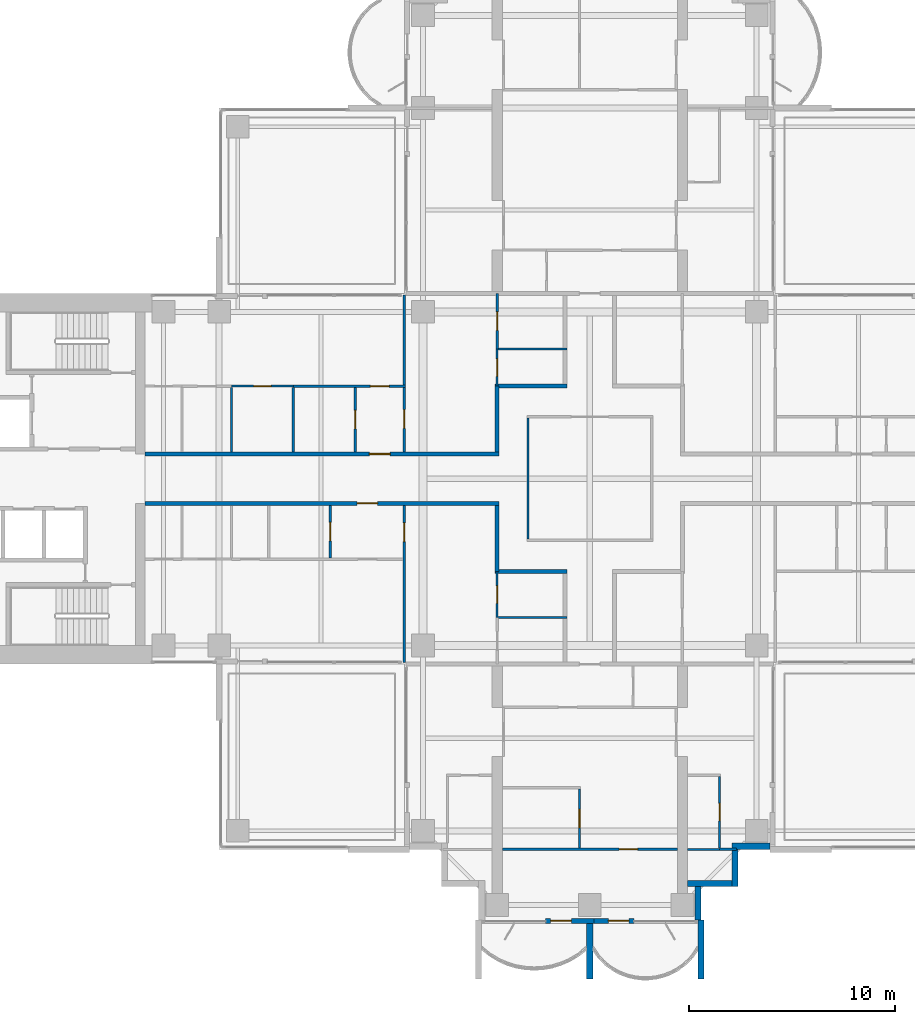
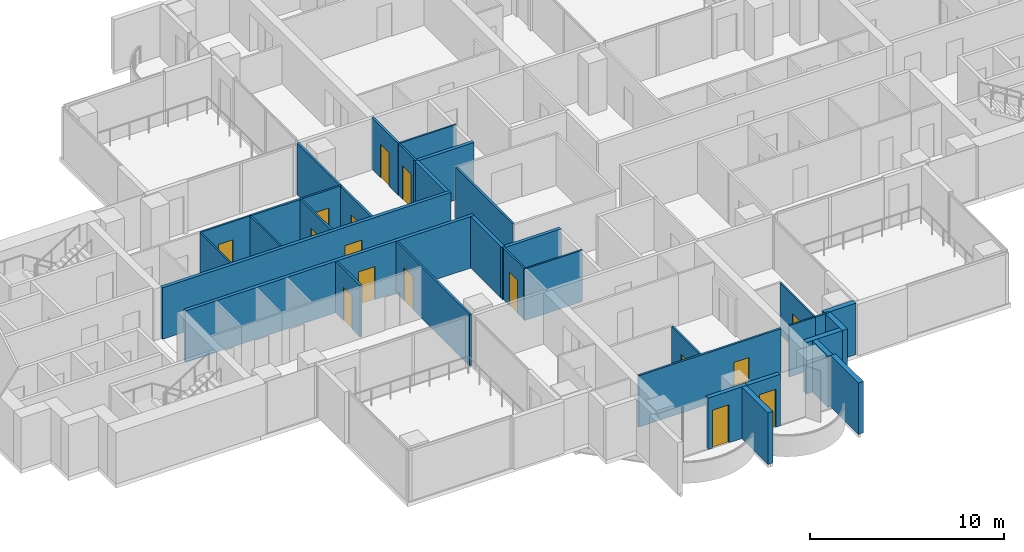
# One storey, part 10 of 18: 33 walls, 16 doors, 16 openings.
"""IFC4 building model written with IfcOpenShell, lengths in metres."""

import ifcopenshell
import ifcopenshell.guid

model = None  # the IFC model being written
_history = None  # IfcOwnerHistory: only IFC2X3 demands one
_inside = {}  # id of a spatial element -> (the spatial element, [elements in it])
_under = {}  # id of a project, library or spatial element -> (it, [spatial elements below it])
_declared = {}  # id of a project -> (the project, [libraries it declares])
_typed = {}  # id of a type object -> (the type object, [elements of that type])
_made_of = {}  # id of a material, layer set ... -> (it, [elements and type objects made of it])


def new_model(schema):
    """Start an empty IFC model of exactly this schema.

    Asked for "IFC4X3", IfcOpenShell would pick the latest addendum, in which some entities
    have other attributes; the version numbers below select the first issue.
    IFC2X3 requires an IfcOwnerHistory on every rooted entity: one is made here for all.
    """
    global model, _history
    if schema == "IFC4X3":
        model = ifcopenshell.file(schema_version=(4, 3, 0, 0))
    else:
        model = ifcopenshell.file(schema=schema)
    _inside.clear()
    _under.clear()
    _declared.clear()
    _typed.clear()
    _made_of.clear()
    _history = None
    if model.schema == "IFC2X3":
        org = make("IfcOrganization", Name="unknown")
        user = make(
            "IfcPersonAndOrganization",
            ThePerson=make("IfcPerson", FamilyName="unknown"),
            TheOrganization=org,
        )
        app = make(
            "IfcApplication",
            ApplicationDeveloper=org,
            Version="unknown",
            ApplicationFullName="unknown",
            ApplicationIdentifier="unknown",
        )
        _history = make(
            "IfcOwnerHistory",
            OwningUser=user,
            OwningApplication=app,
            ChangeAction="ADDED",
            CreationDate=0,
        )
    return model


def make(cls, **values):
    """One entity of the class cls with the attributes given. An attribute that is None is left unset."""
    return model.create_entity(
        cls, **{name: value for name, value in values.items() if value is not None}
    )


def rooted(cls, **values):
    """An entity with a GlobalId (a new one), such as an element, a storey or a relation."""
    return make(cls, GlobalId=ifcopenshell.guid.new(), OwnerHistory=_history, **values)


def si_unit(unit_type, name, prefix=None):
    """IfcSIUnit, for example si_unit("LENGTHUNIT", "METRE", prefix="MILLI")."""
    return make("IfcSIUnit", UnitType=unit_type, Prefix=prefix, Name=name)


def assignment(units):
    """IfcUnitAssignment: the units of a project."""
    return None if units is None else make("IfcUnitAssignment", Units=units)


def point(xyz):
    """IfcCartesianPoint."""
    return None if xyz is None else make("IfcCartesianPoint", Coordinates=xyz)


def direction(xyz):
    """IfcDirection."""
    return None if xyz is None else make("IfcDirection", DirectionRatios=xyz)


def frame(location, z_axis=None, x_axis=None):
    """IfcAxis2Placement3D, a coordinate frame: its origin and axes. An axis left out is left unset."""
    return make(
        "IfcAxis2Placement3D",
        Location=point(location),
        Axis=direction(z_axis),
        RefDirection=direction(x_axis),
    )


def frame_2d(location, x_axis=None):
    """IfcAxis2Placement2D, a coordinate frame in the plane: its origin and x axis."""
    return make(
        "IfcAxis2Placement2D", Location=point(location), RefDirection=direction(x_axis)
    )


def origin():
    """The frame at (0, 0, 0) with its axes left unset."""
    return frame((0.0, 0.0, 0.0))


def place(relative_to, where):
    """IfcLocalPlacement: puts the frame where relative to a parent placement (None: the world)."""
    return make(
        "IfcLocalPlacement", PlacementRelTo=relative_to, RelativePlacement=where
    )


def context(
    kind, dimensions, precision=None, world=None, true_north=None, identifier=None
):
    """IfcGeometricRepresentationContext, for example the 3D "Model" context."""
    return make(
        "IfcGeometricRepresentationContext",
        ContextIdentifier=identifier,
        ContextType=kind,
        CoordinateSpaceDimension=dimensions,
        Precision=precision,
        WorldCoordinateSystem=world,
        TrueNorth=true_north,
    )


def subcontext(parent, identifier, kind, view, scale=None):
    """IfcGeometricRepresentationSubContext, for example "Body" below "Model"."""
    return make(
        "IfcGeometricRepresentationSubContext",
        ContextIdentifier=identifier,
        ContextType=kind,
        ParentContext=parent,
        TargetScale=scale,
        TargetView=view,
    )


def project(units=None, contexts=None):
    """IfcProject with its units and contexts."""
    return rooted(
        "IfcProject",
        Name="project",
        RepresentationContexts=contexts,
        UnitsInContext=assignment(units),
    )


def spatial(cls, under=None, at=None, **own):
    """A site, building, storey or space (cls), placed at a placement, below another one or the project."""
    s = rooted(cls, ObjectPlacement=at, **own)
    if under is not None:
        _under.setdefault(under.id(), (under, []))[1].append(s)
    return s


def profile(cls, at=None, kind="AREA", **sizes):
    """A parametric profile (cls). Its sizes go by their IFC names, for example OverallWidth=200.0."""
    return make(cls, ProfileType=kind, Position=at, **sizes)


def rectangle(**sizes):
    """IfcRectangleProfileDef."""
    return profile("IfcRectangleProfileDef", **sizes)


def extrude(swept, where, along, depth):
    """IfcExtrudedAreaSolid: the profile swept, set in the frame where, extruded along a direction by depth."""
    return make(
        "IfcExtrudedAreaSolid",
        SweptArea=swept,
        Position=where,
        ExtrudedDirection=direction(along),
        Depth=depth,
    )


def shape(context_of_items, identifier, shape_type, items):
    """IfcShapeRepresentation: the items that make up one representation, for example the "Body"."""
    return make(
        "IfcShapeRepresentation",
        ContextOfItems=context_of_items,
        RepresentationIdentifier=identifier,
        RepresentationType=shape_type,
        Items=items,
    )


def material(Name=None, Category=None):
    """IfcMaterial."""
    return make("IfcMaterial", Name=Name, Category=Category)


def layer(
    of_material, thickness, ventilated=None, Name=None, Category=None, Priority=None
):
    """IfcMaterialLayer: one layer of a wall or slab, of a material (None: an air gap)."""
    return make(
        "IfcMaterialLayer",
        Material=of_material,
        LayerThickness=thickness,
        IsVentilated=ventilated,
        Name=Name,
        Category=Category,
        Priority=Priority,
    )


def layer_set(layers, Name=None):
    """IfcMaterialLayerSet."""
    return make("IfcMaterialLayerSet", MaterialLayers=layers, LayerSetName=Name)


def made_of(thing, what):
    """Note that an element or type object is made of a material, layer set ...; save() writes the relation."""
    if what is not None:
        _made_of.setdefault(what.id(), (what, []))[1].append(thing)
    return thing


def type_object(cls, material=None, **own):
    """A type object (cls), such as IfcWallType, which elements share."""
    return made_of(rooted(cls, **own), material)


def element(
    cls,
    number,
    at=None,
    inside=None,
    cuts=None,
    type_object=None,
    material=None,
    context=None,
    identifier="Body",
    shape_type=None,
    held_by="IfcProductDefinitionShape",
    body=None,
    shapes=None,
    **own,
):
    """One element of the class cls, such as IfcWall. Its Tag is "e" and its number.

    at: its placement. inside: the storey or other place that contains it. cuts: it is an
    opening in that element (IfcRelVoidsElement). A single representation is given by context,
    identifier, shape_type and body (its items); several are given by shapes. held_by: the class
    of the entity that holds the representations. save() writes the other relations.
    """
    e = rooted(cls, Tag="e%d" % number, ObjectPlacement=at, **own)
    if body is not None:
        shapes = [shape(context, identifier, shape_type, body)]
    if shapes is not None:
        e.Representation = make(held_by, Representations=shapes)
    if inside is not None:
        _inside.setdefault(inside.id(), (inside, []))[1].append(e)
    if cuts is not None:
        rooted(
            "IfcRelVoidsElement", RelatingBuildingElement=cuts, RelatedOpeningElement=e
        )
    if type_object is not None:
        _typed.setdefault(type_object.id(), (type_object, []))[1].append(e)
    return made_of(e, material)


def fill(opening, filler):
    """IfcRelFillsElement: the door or window that sits in an opening."""
    return rooted(
        "IfcRelFillsElement",
        RelatingOpeningElement=opening,
        RelatedBuildingElement=filler,
    )


def aggregate(whole, parts):
    """IfcRelAggregates: a whole, such as a stair, and the parts it consists of."""
    return rooted("IfcRelAggregates", RelatingObject=whole, RelatedObjects=parts)


def save(model, path):
    """Write the relations noted so far, then the file.

    IfcRelAggregates (storeys below a building ...), IfcRelContainedInSpatialStructure (elements
    in a storey), IfcRelDefinesByType, IfcRelAssociatesMaterial and IfcRelDeclares: one each for
    every whole, place, type object, material and project.
    """
    for whole, parts in _under.values():
        aggregate(whole, parts)
    for where, things in _inside.values():
        rooted(
            "IfcRelContainedInSpatialStructure",
            RelatedElements=things,
            RelatingStructure=where,
        )
    for kind, things in _typed.values():
        rooted("IfcRelDefinesByType", RelatedObjects=things, RelatingType=kind)
    for what, things in _made_of.values():
        rooted("IfcRelAssociatesMaterial", RelatedObjects=things, RelatingMaterial=what)
    for by, libraries in _declared.values():
        rooted("IfcRelDeclares", RelatingContext=by, RelatedDefinitions=libraries)
    model.write(path)


model = new_model("IFC4")

# Units and contexts
model_context = context("Model", 3, precision=1e-05, world=origin(), true_north=direction((0.0, 1.0)))
body_context = subcontext(model_context, "Body", "Model", "MODEL_VIEW")
ifc_project = project(units=[si_unit("LENGTHUNIT", "METRE"), si_unit("AREAUNIT", "SQUARE_METRE"), si_unit("VOLUMEUNIT", "CUBIC_METRE"), si_unit("PLANEANGLEUNIT", "RADIAN"), si_unit("MASSUNIT", "GRAM", prefix="KILO")], contexts=[model_context])

# Site, building, storey
site_placement = place(None, origin())
site = spatial("IfcSite", under=ifc_project, at=site_placement, CompositionType="ELEMENT")
building_placement = place(site_placement, origin())
building = spatial("IfcBuilding", under=site, at=building_placement, Name="Perihelion Cross Residences", CompositionType="ELEMENT")
storey_placement = place(building_placement, frame((0.0, 0.0, 133.89990234375)))
storey = spatial("IfcBuildingStorey", under=building, at=storey_placement, Name="L32", CompositionType="ELEMENT", Elevation=133.89990234375)

# Wall, opening, door
ifc_material_1 = material(Name="Plasterboard partition")
ifc_layer_1 = layer(ifc_material_1, 0.199951171875)
ifc_layer_set_1 = layer_set([ifc_layer_1], Name="Apartment separation wall 200")
wall_type_1 = type_object("IfcWallType", Name="Apartment separation wall 200", PredefinedType="PARTITIONING", material=ifc_layer_set_1)
wall_1_placement = place(storey_placement, frame((-21.60009765625, 1.199951171875, 0.0), z_axis=(0.0, 0.0, 1.0), x_axis=(1.0, 0.0, 0.0)))
wall_1 = element("IfcWall", 1, at=wall_1_placement, inside=storey, type_object=wall_type_1, Name="Partition L32 W013", PredefinedType="PARTITIONING", context=body_context, shape_type="SweptSolid", body=[
    extrude(rectangle(XDim=17.2001953125, YDim=0.199951171875, at=frame_2d((8.60009765625, 0.0))), origin(), (0.0, 0.0, 1.0), 3.25),
])
opening_1_placement = place(wall_1_placement, frame((10.89990234375, 0.0, 0.0)))
opening_1 = element("IfcOpeningElement", 2, at=opening_1_placement, cuts=wall_1, Name="Opening L32.A48", PredefinedType="OPENING", context=body_context, shape_type="SweptSolid", body=[
    extrude(rectangle(XDim=1.0, YDim=2.10009765625, at=frame_2d((0.5, 1.050048828125))), frame((0.0, 0.10986328125, 0.0), z_axis=(0.0, -1.0, 0.0), x_axis=(1.0, 0.0, 0.0)), (0.0, 0.0, 1.0), 0.219970703125),
])
ifc_material_2 = material(Name="Timber door leaf", Category="wood")
door_type_1 = type_object("IfcDoorType", Name="Flat entrance door 1000 x 2100", OperationType="SINGLE_SWING_LEFT", PredefinedType="DOOR", material=ifc_material_2)
door_1_placement = place(opening_1_placement, origin())
door_1 = element("IfcDoor", 3, at=door_1_placement, inside=storey, type_object=door_type_1, Name="Door L32.A48", OperationType="SINGLE_SWING_RIGHT", OverallHeight=2.10009765625, OverallWidth=1.0, PredefinedType="DOOR", context=body_context, shape_type="SweptSolid", body=[
    extrude(rectangle(XDim=1.0, YDim=2.10009765625, at=frame_2d((0.5, 1.050048828125))), frame((0.0, 0.02490234375, 0.0), z_axis=(0.0, -1.0, 0.0), x_axis=(1.0, 0.0, 0.0)), (0.0, 0.0, 1.0), 0.050048828125),
])
fill(opening_1, door_1)

# Walls
wall_2_placement = place(storey_placement, frame((-4.5, 1.300048828125, 0.0), z_axis=(0.0, 0.0, 1.0), x_axis=(0.0, 1.0, 0.0)))
element("IfcWall", 4, at=wall_2_placement, inside=storey, type_object=wall_type_1, Name="Partition L32 W014", PredefinedType="PARTITIONING", context=body_context, shape_type="SweptSolid", body=[
    extrude(rectangle(XDim=3.199951171875, YDim=0.199951171875, at=frame_2d((1.60009765625, 0.0))), origin(), (0.0, 0.0, 1.0), 3.25),
])
wall_3_placement = place(storey_placement, frame((-4.60009765625, 4.5, 0.0), z_axis=(0.0, 0.0, 1.0), x_axis=(1.0, 0.0, 0.0)))
element("IfcWall", 5, at=wall_3_placement, inside=storey, type_object=wall_type_1, Name="Partition L32 W015", PredefinedType="PARTITIONING", context=body_context, shape_type="SweptSolid", body=[
    extrude(rectangle(XDim=3.5, YDim=0.199951171875, at=frame_2d((1.75, 0.0))), origin(), (0.0, 0.0, 1.0), 3.25),
])

# Wall, opening, door
wall_4_placement = place(storey_placement, frame((-4.39990234375, -1.199951171875, 0.0), z_axis=(0.0, 0.0, 1.0), x_axis=(-1.0, 0.0, 0.0)))
wall_4 = element("IfcWall", 6, at=wall_4_placement, inside=storey, type_object=wall_type_1, Name="Partition L32 W017", PredefinedType="PARTITIONING", context=body_context, shape_type="SweptSolid", body=[
    extrude(rectangle(XDim=17.2001953125, YDim=0.199951171875, at=frame_2d((8.60009765625, 0.0))), origin(), (0.0, 0.0, 1.0), 3.25),
])
opening_2_placement = place(wall_4_placement, frame((5.89990234375, 0.0, 0.0)))
opening_2 = element("IfcOpeningElement", 7, at=opening_2_placement, cuts=wall_4, Name="Opening L32.A49", PredefinedType="OPENING", context=body_context, shape_type="SweptSolid", body=[
    extrude(rectangle(XDim=1.0, YDim=2.10009765625, at=frame_2d((0.5, 1.050048828125))), frame((0.0, 0.10986328125, 0.0), z_axis=(0.0, -1.0, 0.0), x_axis=(1.0, 0.0, 0.0)), (0.0, 0.0, 1.0), 0.219970703125),
])
door_2_placement = place(opening_2_placement, origin())
door_2 = element("IfcDoor", 8, at=door_2_placement, inside=storey, type_object=door_type_1, Name="Door L32.A49", OperationType="SINGLE_SWING_RIGHT", OverallHeight=2.10009765625, OverallWidth=1.0, PredefinedType="DOOR", context=body_context, shape_type="SweptSolid", body=[
    extrude(rectangle(XDim=1.0, YDim=2.10009765625, at=frame_2d((0.5, 1.050048828125))), frame((0.0, 0.02490234375, 0.0), z_axis=(0.0, -1.0, 0.0), x_axis=(1.0, 0.0, 0.0)), (0.0, 0.0, 1.0), 0.050048828125),
])
fill(opening_2, door_2)

# Walls
wall_5_placement = place(storey_placement, frame((-4.5, -4.5, 0.0), z_axis=(0.0, 0.0, 1.0), x_axis=(0.0, 1.0, 0.0)))
element("IfcWall", 9, at=wall_5_placement, inside=storey, type_object=wall_type_1, Name="Partition L32 W018", PredefinedType="PARTITIONING", context=body_context, shape_type="SweptSolid", body=[
    extrude(rectangle(XDim=3.199951171875, YDim=0.199951171875, at=frame_2d((1.60009765625, 0.0))), origin(), (0.0, 0.0, 1.0), 3.25),
])
wall_6_placement = place(storey_placement, frame((-1.10009765625, -4.5, 0.0), z_axis=(0.0, 0.0, 1.0), x_axis=(-1.0, 0.0, 0.0)))
element("IfcWall", 10, at=wall_6_placement, inside=storey, type_object=wall_type_1, Name="Partition L32 W020", PredefinedType="PARTITIONING", context=body_context, shape_type="SweptSolid", body=[
    extrude(rectangle(XDim=3.5, YDim=0.199951171875, at=frame_2d((1.75, 0.0))), origin(), (0.0, 0.0, 1.0), 3.25),
])

# Wall, opening, door
ifc_material_3 = material(Name="Concrete C30/37, bronze-clad", Category="concrete")
ifc_layer_2 = layer(ifc_material_3, 0.25)
ifc_layer_set_2 = layer_set([ifc_layer_2], Name="Bronze-clad pier wall 250")
wall_type_2 = type_object("IfcWallType", Name="Bronze-clad pier wall 250", PredefinedType="SOLIDWALL", material=ifc_layer_set_2)
wall_7_placement = place(storey_placement, frame((-2.14990234375, -21.47509765625, 0.0), z_axis=(0.0, 0.0, 1.0), x_axis=(1.0, 0.0, 0.0)))
wall_7 = element("IfcWall", 11, at=wall_7_placement, inside=storey, type_object=wall_type_2, Name="Wall FW1 L32 south tip south bay 1 pier", PredefinedType="SOLIDWALL", context=body_context, shape_type="SweptSolid", body=[
    extrude(rectangle(XDim=2.349853515625, YDim=0.25, at=frame_2d((1.1748046875, 0.0))), origin(), (0.0, 0.0, 1.0), 3.25),
])
opening_3_placement = place(wall_7_placement, frame((0.25, 0.0, 0.0)))
opening_3 = element("IfcOpeningElement", 12, at=opening_3_placement, cuts=wall_7, Name="Opening L32.E11", PredefinedType="OPENING", context=body_context, shape_type="SweptSolid", body=[
    extrude(rectangle(XDim=1.0, YDim=2.39990234375, at=frame_2d((0.5, 1.199951171875))), frame((0.0, 0.135009765625, 0.0), z_axis=(0.0, -1.0, 0.0), x_axis=(1.0, 0.0, 0.0)), (0.0, 0.0, 1.0), 0.27001953125),
])
ifc_material_4 = material(Name="Bronze anodised aluminium, glazed", Category="aluminium")
door_type_2 = type_object("IfcDoorType", Name="Balcony door 1000 x 2400", OperationType="NOTDEFINED", PredefinedType="DOOR", material=ifc_material_4)
door_3_placement = place(opening_3_placement, origin())
door_3 = element("IfcDoor", 13, at=door_3_placement, inside=storey, type_object=door_type_2, Name="Door L32.E11 south tip south bay 1", OperationType="SINGLE_SWING_RIGHT", OverallHeight=2.39990234375, OverallWidth=1.0, PredefinedType="DOOR", context=body_context, shape_type="SweptSolid", body=[
    extrude(rectangle(XDim=1.0, YDim=2.39990234375, at=frame_2d((0.5, 1.199951171875))), frame((0.0, 0.02490234375, 0.0), z_axis=(0.0, -1.0, 0.0), x_axis=(1.0, 0.0, 0.0)), (0.0, 0.0, 1.0), 0.050048828125),
])
fill(opening_3, door_3)

wall_8_placement = place(storey_placement, frame((0.199951171875, -21.47509765625, 0.0), z_axis=(0.0, 0.0, 1.0), x_axis=(1.0, 0.0, 0.0)))
wall_8 = element("IfcWall", 14, at=wall_8_placement, inside=storey, type_object=wall_type_2, Name="Wall FW1 L32 south tip south bay 2 pier", PredefinedType="SOLIDWALL", context=body_context, shape_type="SweptSolid", body=[
    extrude(rectangle(XDim=1.949951171875, YDim=0.25, at=frame_2d((0.97509765625, 0.0))), origin(), (0.0, 0.0, 1.0), 3.25),
])
opening_4_placement = place(wall_8_placement, frame((0.699951171875, 0.0, 0.0)))
opening_4 = element("IfcOpeningElement", 15, at=opening_4_placement, cuts=wall_8, Name="Opening L32.E12", PredefinedType="OPENING", context=body_context, shape_type="SweptSolid", body=[
    extrude(rectangle(XDim=1.0, YDim=2.39990234375, at=frame_2d((0.5, 1.199951171875))), frame((0.0, 0.135009765625, 0.0), z_axis=(0.0, -1.0, 0.0), x_axis=(1.0, 0.0, 0.0)), (0.0, 0.0, 1.0), 0.27001953125),
])
door_4_placement = place(opening_4_placement, origin())
door_4 = element("IfcDoor", 16, at=door_4_placement, inside=storey, type_object=door_type_2, Name="Door L32.E12 south tip south bay 2", OperationType="SINGLE_SWING_LEFT", OverallHeight=2.39990234375, OverallWidth=1.0, PredefinedType="DOOR", context=body_context, shape_type="SweptSolid", body=[
    extrude(rectangle(XDim=1.0, YDim=2.39990234375, at=frame_2d((0.5, 1.199951171875))), frame((0.0, 0.02490234375, 0.0), z_axis=(0.0, -1.0, 0.0), x_axis=(1.0, 0.0, 0.0)), (0.0, 0.0, 1.0), 0.050048828125),
])
fill(opening_4, door_4)

# Walls
ifc_material_5 = material(Name="Concrete C30/37, bronze-clad", Category="concrete")
ifc_layer_3 = layer(ifc_material_5, 0.300048828125)
ifc_layer_set_3 = layer_set([ifc_layer_3], Name="Bronze-clad serration wall 300")
wall_type_3 = type_object("IfcWallType", Name="Bronze-clad serration wall 300", PredefinedType="SOLIDWALL", material=ifc_layer_set_3)
wall_9_placement = place(storey_placement, frame((5.25, -21.419921875, 0.0), z_axis=(0.0, 0.0, 1.0), x_axis=(0.0, 1.0, 0.0)))
element("IfcWall", 17, at=wall_9_placement, inside=storey, type_object=wall_type_3, Name="Wall SR1 L32 south corner south-east 1", PredefinedType="SOLIDWALL", context=body_context, shape_type="SweptSolid", body=[
    extrude(rectangle(XDim=1.619873046875, YDim=0.300048828125, at=frame_2d((0.81005859375, 0.0))), origin(), (0.0, 0.0, 1.0), 3.25),
])
wall_10_placement = place(storey_placement, frame((4.75, -19.64990234375, 0.0), z_axis=(0.0, 0.0, 1.0), x_axis=(1.0, 0.0, 0.0)))
element("IfcWall", 18, at=wall_10_placement, inside=storey, type_object=wall_type_3, Name="Wall SR1 L32 south corner south-east 2", PredefinedType="SOLIDWALL", context=body_context, shape_type="SweptSolid", body=[
    extrude(rectangle(XDim=2.14990234375, YDim=0.300048828125, at=frame_2d((1.074951171875, 0.0))), origin(), (0.0, 0.0, 1.0), 3.25),
])
wall_11_placement = place(storey_placement, frame((7.050048828125, -19.800048828125, 0.0), z_axis=(0.0, 0.0, 1.0), x_axis=(0.0, 1.0, 0.0)))
element("IfcWall", 19, at=wall_11_placement, inside=storey, type_object=wall_type_3, Name="Wall SR1 L32 south corner south-east 3", PredefinedType="SOLIDWALL", context=body_context, shape_type="SweptSolid", body=[
    extrude(rectangle(XDim=1.800048828125, YDim=0.300048828125, at=frame_2d((0.89990234375, 0.0))), origin(), (0.0, 0.0, 1.0), 3.25),
])
wall_12_placement = place(storey_placement, frame((6.89990234375, -17.85009765625, 0.0), z_axis=(0.0, 0.0, 1.0), x_axis=(1.0, 0.0, 0.0)))
element("IfcWall", 20, at=wall_12_placement, inside=storey, type_object=wall_type_3, Name="Wall SR1 L32 south corner south-east 4", PredefinedType="SOLIDWALL", context=body_context, shape_type="SweptSolid", body=[
    extrude(rectangle(XDim=1.85009765625, YDim=0.300048828125, at=frame_2d((0.925048828125, 0.0))), origin(), (0.0, 0.0, 1.0), 3.25),
])
ifc_material_6 = material(Name="Plasterboard partition")
ifc_layer_4 = layer(ifc_material_6, 0.1201171875)
ifc_layer_set_4 = layer_set([ifc_layer_4], Name="Partition wall 120")
wall_type_4 = type_object("IfcWallType", Name="Partition wall 120", PredefinedType="PARTITIONING", material=ifc_layer_set_4)
wall_13_placement = place(storey_placement, frame((-3.0, 2.93994140625, 0.0), z_axis=(0.0, 0.0, 1.0), x_axis=(0.0, -1.0, 0.0)))
element("IfcWall", 21, at=wall_13_placement, inside=storey, type_object=wall_type_4, Name="Partition L32 W004", PredefinedType="PARTITIONING", context=body_context, shape_type="SweptSolid", body=[
    extrude(rectangle(XDim=5.8798828125, YDim=0.1201171875, at=frame_2d((2.93994140625, 0.0))), origin(), (0.0, 0.0, 1.0), 3.25),
])

# Wall, opening, door
wall_14_placement = place(storey_placement, frame((-11.39990234375, 1.300048828125, 0.0), z_axis=(0.0, 0.0, 1.0), x_axis=(0.0, 1.0, 0.0)))
wall_14 = element("IfcWall", 22, at=wall_14_placement, inside=storey, type_object=wall_type_4, Name="Partition L32 W041", PredefinedType="PARTITIONING", context=body_context, shape_type="SweptSolid", body=[
    extrude(rectangle(XDim=3.139892578125, YDim=0.1201171875, at=frame_2d((1.56982421875, 0.0))), origin(), (0.0, 0.0, 1.0), 3.25),
])
opening_5_placement = place(wall_14_placement, frame((1.1201171875, 0.0, 0.0)))
opening_5 = element("IfcOpeningElement", 23, at=opening_5_placement, cuts=wall_14, Name="Opening L32.A17", PredefinedType="OPENING", context=body_context, shape_type="SweptSolid", body=[
    extrude(rectangle(XDim=0.89990234375, YDim=2.10009765625, at=frame_2d((0.449951171875, 1.050048828125))), frame((0.0, 0.070068359375, 0.0), z_axis=(0.0, -1.0, 0.0), x_axis=(1.0, 0.0, 0.0)), (0.0, 0.0, 1.0), 0.14013671875),
])
ifc_material_7 = material(Name="Timber door leaf", Category="wood")
door_type_3 = type_object("IfcDoorType", Name="Interior room door 900 x 2100", OperationType="SINGLE_SWING_LEFT", PredefinedType="DOOR", material=ifc_material_7)
door_5_placement = place(opening_5_placement, origin())
door_5 = element("IfcDoor", 24, at=door_5_placement, inside=storey, type_object=door_type_3, Name="Door L32.A17", OperationType="SINGLE_SWING_LEFT", OverallHeight=2.10009765625, OverallWidth=0.89990234375, PredefinedType="DOOR", context=body_context, shape_type="SweptSolid", body=[
    extrude(rectangle(XDim=0.89990234375, YDim=2.10009765625, at=frame_2d((0.449951171875, 1.050048828125))), frame((0.0, 0.02490234375, 0.0), z_axis=(0.0, -1.0, 0.0), x_axis=(1.0, 0.0, 0.0)), (0.0, 0.0, 1.0), 0.050048828125),
])
fill(opening_5, door_5)

wall_15_placement = place(storey_placement, frame((-14.39990234375, 4.5, 0.0), z_axis=(0.0, 0.0, 1.0), x_axis=(1.0, 0.0, 0.0)))
wall_15 = element("IfcWall", 25, at=wall_15_placement, inside=storey, type_object=wall_type_4, Name="Partition L32 W042", PredefinedType="PARTITIONING", context=body_context, shape_type="SweptSolid", body=[
    extrude(rectangle(XDim=5.4599609375, YDim=0.1201171875, at=frame_2d((2.72998046875, 0.0))), origin(), (0.0, 0.0, 1.0), 3.25),
])
opening_6_placement = place(wall_15_placement, frame((3.75, 0.0, 0.0)))
opening_6 = element("IfcOpeningElement", 26, at=opening_6_placement, cuts=wall_15, Name="Opening L32.A22", PredefinedType="OPENING", context=body_context, shape_type="SweptSolid", body=[
    extrude(rectangle(XDim=0.89990234375, YDim=2.10009765625, at=frame_2d((0.449951171875, 1.050048828125))), frame((0.0, 0.070068359375, 0.0), z_axis=(0.0, -1.0, 0.0), x_axis=(1.0, 0.0, 0.0)), (0.0, 0.0, 1.0), 0.14013671875),
])
door_6_placement = place(opening_6_placement, origin())
door_6 = element("IfcDoor", 27, at=door_6_placement, inside=storey, type_object=door_type_3, Name="Door L32.A22", OperationType="SINGLE_SWING_LEFT", OverallHeight=2.10009765625, OverallWidth=0.89990234375, PredefinedType="DOOR", context=body_context, shape_type="SweptSolid", body=[
    extrude(rectangle(XDim=0.89990234375, YDim=2.10009765625, at=frame_2d((0.449951171875, 1.050048828125))), frame((0.0, 0.02490234375, 0.0), z_axis=(0.0, -1.0, 0.0), x_axis=(1.0, 0.0, 0.0)), (0.0, 0.0, 1.0), 0.050048828125),
])
fill(opening_6, door_6)

wall_16_placement = place(storey_placement, frame((-9.0, 8.919921875, 0.0), z_axis=(0.0, 0.0, 1.0), x_axis=(0.0, -1.0, 0.0)))
wall_16 = element("IfcWall", 28, at=wall_16_placement, inside=storey, type_object=wall_type_4, Name="Partition L32 W043", PredefinedType="PARTITIONING", context=body_context, shape_type="SweptSolid", body=[
    extrude(rectangle(XDim=7.619873046875, YDim=0.1201171875, at=frame_2d((3.81005859375, 0.0))), origin(), (0.0, 0.0, 1.0), 3.25),
])
opening_7_placement = place(wall_16_placement, frame((5.570068359375, 0.0, 0.0)))
opening_7 = element("IfcOpeningElement", 29, at=opening_7_placement, cuts=wall_16, Name="Opening L32.A18", PredefinedType="OPENING", context=body_context, shape_type="SweptSolid", body=[
    extrude(rectangle(XDim=0.89990234375, YDim=2.10009765625, at=frame_2d((0.449951171875, 1.050048828125))), frame((0.0, 0.070068359375, 0.0), z_axis=(0.0, -1.0, 0.0), x_axis=(1.0, 0.0, 0.0)), (0.0, 0.0, 1.0), 0.14013671875),
])
door_7_placement = place(opening_7_placement, origin())
door_7 = element("IfcDoor", 30, at=door_7_placement, inside=storey, type_object=door_type_3, Name="Door L32.A18", OperationType="SINGLE_SWING_RIGHT", OverallHeight=2.10009765625, OverallWidth=0.89990234375, PredefinedType="DOOR", context=body_context, shape_type="SweptSolid", body=[
    extrude(rectangle(XDim=0.89990234375, YDim=2.10009765625, at=frame_2d((0.449951171875, 1.050048828125))), frame((0.0, 0.02490234375, 0.0), z_axis=(0.0, -1.0, 0.0), x_axis=(1.0, 0.0, 0.0)), (0.0, 0.0, 1.0), 0.050048828125),
])
fill(opening_7, door_7)

wall_17_placement = place(storey_placement, frame((-4.5, 9.0, 0.0), z_axis=(0.0, 0.0, 1.0), x_axis=(0.0, -1.0, 0.0)))
wall_17 = element("IfcWall", 31, at=wall_17_placement, inside=storey, type_object=wall_type_4, Name="Partition L32 W051", PredefinedType="PARTITIONING", context=body_context, shape_type="SweptSolid", body=[
    extrude(rectangle(XDim=2.699951171875, YDim=0.1201171875, at=frame_2d((1.35009765625, 0.0))), origin(), (0.0, 0.0, 1.0), 3.25),
])
opening_8_placement = place(wall_17_placement, frame((0.89990234375, 0.0, 0.0)))
opening_8 = element("IfcOpeningElement", 32, at=opening_8_placement, cuts=wall_17, Name="Opening L32.A19", PredefinedType="OPENING", context=body_context, shape_type="SweptSolid", body=[
    extrude(rectangle(XDim=0.89990234375, YDim=2.10009765625, at=frame_2d((0.449951171875, 1.050048828125))), frame((0.0, 0.070068359375, 0.0), z_axis=(0.0, -1.0, 0.0), x_axis=(1.0, 0.0, 0.0)), (0.0, 0.0, 1.0), 0.14013671875),
])
door_8_placement = place(opening_8_placement, origin())
door_8 = element("IfcDoor", 33, at=door_8_placement, inside=storey, type_object=door_type_3, Name="Door L32.A19", OperationType="SINGLE_SWING_RIGHT", OverallHeight=2.10009765625, OverallWidth=0.89990234375, PredefinedType="DOOR", context=body_context, shape_type="SweptSolid", body=[
    extrude(rectangle(XDim=0.89990234375, YDim=2.10009765625, at=frame_2d((0.449951171875, 1.050048828125))), frame((0.0, 0.02490234375, 0.0), z_axis=(0.0, -1.0, 0.0), x_axis=(1.0, 0.0, 0.0)), (0.0, 0.0, 1.0), 0.050048828125),
])
fill(opening_8, door_8)

wall_18_placement = place(storey_placement, frame((-12.60009765625, -3.840087890625, 0.0), z_axis=(0.0, 0.0, 1.0), x_axis=(0.0, 1.0, 0.0)))
wall_18 = element("IfcWall", 34, at=wall_18_placement, inside=storey, type_object=wall_type_4, Name="Partition L32 W053", PredefinedType="PARTITIONING", context=body_context, shape_type="SweptSolid", body=[
    extrude(rectangle(XDim=2.5400390625, YDim=0.1201171875, at=frame_2d((1.27001953125, 0.0))), origin(), (0.0, 0.0, 1.0), 3.25),
])
opening_9_placement = place(wall_18_placement, frame((0.820068359375, 0.0, 0.0)))
opening_9 = element("IfcOpeningElement", 35, at=opening_9_placement, cuts=wall_18, Name="Opening L32.A26", PredefinedType="OPENING", context=body_context, shape_type="SweptSolid", body=[
    extrude(rectangle(XDim=0.89990234375, YDim=2.10009765625, at=frame_2d((0.449951171875, 1.050048828125))), frame((0.0, 0.070068359375, 0.0), z_axis=(0.0, -1.0, 0.0), x_axis=(1.0, 0.0, 0.0)), (0.0, 0.0, 1.0), 0.14013671875),
])
door_9_placement = place(opening_9_placement, origin())
door_9 = element("IfcDoor", 36, at=door_9_placement, inside=storey, type_object=door_type_3, Name="Door L32.A26", OperationType="SINGLE_SWING_RIGHT", OverallHeight=2.10009765625, OverallWidth=0.89990234375, PredefinedType="DOOR", context=body_context, shape_type="SweptSolid", body=[
    extrude(rectangle(XDim=0.89990234375, YDim=2.10009765625, at=frame_2d((0.449951171875, 1.050048828125))), frame((0.0, 0.02490234375, 0.0), z_axis=(0.0, -1.0, 0.0), x_axis=(1.0, 0.0, 0.0)), (0.0, 0.0, 1.0), 0.050048828125),
])
fill(opening_9, door_9)

wall_19_placement = place(storey_placement, frame((-9.0, -1.300048828125, 0.0), z_axis=(0.0, 0.0, 1.0), x_axis=(0.0, -1.0, 0.0)))
wall_19 = element("IfcWall", 37, at=wall_19_placement, inside=storey, type_object=wall_type_4, Name="Partition L32 W055", PredefinedType="PARTITIONING", context=body_context, shape_type="SweptSolid", body=[
    extrude(rectangle(XDim=7.619873046875, YDim=0.1201171875, at=frame_2d((3.81005859375, 0.0))), origin(), (0.0, 0.0, 1.0), 3.25),
])
opening_10_placement = place(wall_19_placement, frame((0.85009765625, 0.0, 0.0)))
opening_10 = element("IfcOpeningElement", 38, at=opening_10_placement, cuts=wall_19, Name="Opening L32.A29", PredefinedType="OPENING", context=body_context, shape_type="SweptSolid", body=[
    extrude(rectangle(XDim=0.89990234375, YDim=2.10009765625, at=frame_2d((0.449951171875, 1.050048828125))), frame((0.0, 0.070068359375, 0.0), z_axis=(0.0, -1.0, 0.0), x_axis=(1.0, 0.0, 0.0)), (0.0, 0.0, 1.0), 0.14013671875),
])
door_10_placement = place(opening_10_placement, origin())
door_10 = element("IfcDoor", 39, at=door_10_placement, inside=storey, type_object=door_type_3, Name="Door L32.A29", OperationType="SINGLE_SWING_LEFT", OverallHeight=2.10009765625, OverallWidth=0.89990234375, PredefinedType="DOOR", context=body_context, shape_type="SweptSolid", body=[
    extrude(rectangle(XDim=0.89990234375, YDim=2.10009765625, at=frame_2d((0.449951171875, 1.050048828125))), frame((0.0, 0.02490234375, 0.0), z_axis=(0.0, -1.0, 0.0), x_axis=(1.0, 0.0, 0.0)), (0.0, 0.0, 1.0), 0.050048828125),
])
fill(opening_10, door_10)

wall_20_placement = place(storey_placement, frame((-0.5, -17.93994140625, 0.0), z_axis=(0.0, 0.0, 1.0), x_axis=(0.0, 1.0, 0.0)))
wall_20 = element("IfcWall", 40, at=wall_20_placement, inside=storey, type_object=wall_type_4, Name="Partition L32 W080", PredefinedType="PARTITIONING", context=body_context, shape_type="SweptSolid", body=[
    extrude(rectangle(XDim=2.8798828125, YDim=0.1201171875, at=frame_2d((1.43994140625, 0.0))), origin(), (0.0, 0.0, 1.0), 3.25),
])
opening_11_placement = place(wall_20_placement, frame((0.989990234375, 0.0, 0.0)))
opening_11 = element("IfcOpeningElement", 41, at=opening_11_placement, cuts=wall_20, Name="Opening L32.A42", PredefinedType="OPENING", context=body_context, shape_type="SweptSolid", body=[
    extrude(rectangle(XDim=0.89990234375, YDim=2.10009765625, at=frame_2d((0.449951171875, 1.050048828125))), frame((0.0, 0.070068359375, 0.0), z_axis=(0.0, -1.0, 0.0), x_axis=(1.0, 0.0, 0.0)), (0.0, 0.0, 1.0), 0.14013671875),
])
door_11_placement = place(opening_11_placement, origin())
door_11 = element("IfcDoor", 42, at=door_11_placement, inside=storey, type_object=door_type_3, Name="Door L32.A42", OperationType="SINGLE_SWING_RIGHT", OverallHeight=2.10009765625, OverallWidth=0.89990234375, PredefinedType="DOOR", context=body_context, shape_type="SweptSolid", body=[
    extrude(rectangle(XDim=0.89990234375, YDim=2.10009765625, at=frame_2d((0.449951171875, 1.050048828125))), frame((0.0, 0.02490234375, 0.0), z_axis=(0.0, -1.0, 0.0), x_axis=(1.0, 0.0, 0.0)), (0.0, 0.0, 1.0), 0.050048828125),
])
fill(opening_11, door_11)

wall_21_placement = place(storey_placement, frame((4.25, -18.0, 0.0), z_axis=(0.0, 0.0, 1.0), x_axis=(-1.0, 0.0, 0.0)))
wall_21 = element("IfcWall", 43, at=wall_21_placement, inside=storey, type_object=wall_type_4, Name="Partition L32 W082", PredefinedType="PARTITIONING", context=body_context, shape_type="SweptSolid", body=[
    extrude(rectangle(XDim=8.5, YDim=0.1201171875, at=frame_2d((4.25, 0.0))), origin(), (0.0, 0.0, 1.0), 3.25),
])
opening_12_placement = place(wall_21_placement, frame((1.925048828125, 0.0, 0.0)))
opening_12 = element("IfcOpeningElement", 44, at=opening_12_placement, cuts=wall_21, Name="Opening L32.A43", PredefinedType="OPENING", context=body_context, shape_type="SweptSolid", body=[
    extrude(rectangle(XDim=0.89990234375, YDim=2.10009765625, at=frame_2d((0.449951171875, 1.050048828125))), frame((0.0, 0.070068359375, 0.0), z_axis=(0.0, -1.0, 0.0), x_axis=(1.0, 0.0, 0.0)), (0.0, 0.0, 1.0), 0.14013671875),
])
door_12_placement = place(opening_12_placement, origin())
door_12 = element("IfcDoor", 45, at=door_12_placement, inside=storey, type_object=door_type_3, Name="Door L32.A43", OperationType="SINGLE_SWING_RIGHT", OverallHeight=2.10009765625, OverallWidth=0.89990234375, PredefinedType="DOOR", context=body_context, shape_type="SweptSolid", body=[
    extrude(rectangle(XDim=0.89990234375, YDim=2.10009765625, at=frame_2d((0.449951171875, 1.050048828125))), frame((0.0, 0.02490234375, 0.0), z_axis=(0.0, -1.0, 0.0), x_axis=(1.0, 0.0, 0.0)), (0.0, 0.0, 1.0), 0.050048828125),
])
fill(opening_12, door_12)

# Walls
wall_22_placement = place(storey_placement, frame((7.1201171875, -18.0, 0.0), z_axis=(0.0, 0.0, 1.0), x_axis=(-1.0, 0.0, 0.0)))
element("IfcWall", 46, at=wall_22_placement, inside=storey, type_object=wall_type_4, Name="Partition L32 W085", PredefinedType="PARTITIONING", context=body_context, shape_type="SweptSolid", body=[
    extrude(rectangle(XDim=0.820068359375, YDim=0.1201171875, at=frame_2d((0.41015625, 0.0))), origin(), (0.0, 0.0, 1.0), 3.25),
])
ifc_material_8 = material(Name="Precast concrete C50/60", Category="concrete")
ifc_layer_5 = layer(ifc_material_8, 0.300048828125)
ifc_layer_set_5 = layer_set([ifc_layer_5], Name="Precast concrete C50/60 blade wall 300")
wall_type_5 = type_object("IfcWallType", Name="Precast concrete C50/60 blade wall 300", PredefinedType="SOLIDWALL", material=ifc_layer_set_5)
wall_23_placement = place(storey_placement, frame((0.0, -21.60009765625, 0.0), z_axis=(0.0, 0.0, 1.0), x_axis=(0.0, -1.0, 0.0)))
element("IfcWall", 47, at=wall_23_placement, inside=storey, type_object=wall_type_5, Name="Wall BL1 L32 no. 8", PredefinedType="SOLIDWALL", context=body_context, shape_type="SweptSolid", body=[
    extrude(rectangle(XDim=2.699951171875, YDim=0.300048828125, at=frame_2d((1.35009765625, 0.0))), origin(), (0.0, 0.0, 1.0), 3.25),
])
wall_24_placement = place(storey_placement, frame((5.39990234375, -21.419921875, 0.0), z_axis=(0.0, 0.0, 1.0), x_axis=(0.0, -1.0, 0.0)))
element("IfcWall", 48, at=wall_24_placement, inside=storey, type_object=wall_type_5, Name="Wall BL1 L32 no. 12", PredefinedType="SOLIDWALL", context=body_context, shape_type="SweptSolid", body=[
    extrude(rectangle(XDim=2.880126953125, YDim=0.300048828125, at=frame_2d((1.43994140625, 0.0))), origin(), (0.0, 0.0, 1.0), 3.25),
])
ifc_material_9 = material(Name="Plasterboard partition")
ifc_layer_6 = layer(ifc_material_9, 0.10009765625)
ifc_layer_set_6 = layer_set([ifc_layer_6], Name="Wet room wall 100")
wall_type_6 = type_object("IfcWallType", Name="Wet room wall 100", PredefinedType="PARTITIONING", material=ifc_layer_set_6)
for number, where, z_axis, x_axis, name in (
    (49, (-14.39990234375, 1.300048828125, 0.0), (0.0, 0.0, 1.0), (0.0, 1.0, 0.0), "Partition L32 W044"),
    (50, (-17.39990234375, 1.300048828125, 0.0), (0.0, 0.0, 1.0), (0.0, 1.0, 0.0), "Partition L32 W045"),
):
    element("IfcWall", number, at=place(storey_placement, frame(where, z_axis=z_axis, x_axis=x_axis)), inside=storey, type_object=wall_type_6, Name=name, PredefinedType="PARTITIONING", context=body_context, shape_type="SweptSolid", body=[
        extrude(rectangle(XDim=3.139892578125, YDim=0.10009765625, at=frame_2d((1.56982421875, 0.0))), origin(), (0.0, 0.0, 1.0), 3.25),
    ])

# Wall, opening, door
wall_25_placement = place(storey_placement, frame((-17.39990234375, 4.5, 0.0), z_axis=(0.0, 0.0, 1.0), x_axis=(1.0, 0.0, 0.0)))
wall_25 = element("IfcWall", 51, at=wall_25_placement, inside=storey, type_object=wall_type_6, Name="Partition L32 W046", PredefinedType="PARTITIONING", context=body_context, shape_type="SweptSolid", body=[
    extrude(rectangle(XDim=3.0, YDim=0.10009765625, at=frame_2d((1.5, 0.0))), origin(), (0.0, 0.0, 1.0), 3.25),
])
opening_13_placement = place(wall_25_placement, frame((1.074951171875, 0.0, 0.0)))
opening_13 = element("IfcOpeningElement", 52, at=opening_13_placement, cuts=wall_25, Name="Opening L32.A16", PredefinedType="OPENING", context=body_context, shape_type="SweptSolid", body=[
    extrude(rectangle(XDim=0.85009765625, YDim=2.10009765625, at=frame_2d((0.425048828125, 1.050048828125))), frame((0.0, 0.06005859375, 0.0), z_axis=(0.0, -1.0, 0.0), x_axis=(1.0, 0.0, 0.0)), (0.0, 0.0, 1.0), 0.1201171875),
])
ifc_material_10 = material(Name="Timber door leaf", Category="wood")
door_type_4 = type_object("IfcDoorType", Name="Interior bathroom door 850 x 2100", OperationType="SINGLE_SWING_LEFT", PredefinedType="DOOR", material=ifc_material_10)
door_13_placement = place(opening_13_placement, origin())
door_13 = element("IfcDoor", 53, at=door_13_placement, inside=storey, type_object=door_type_4, Name="Door L32.A16", OperationType="SINGLE_SWING_LEFT", OverallHeight=2.10009765625, OverallWidth=0.85009765625, PredefinedType="DOOR", context=body_context, shape_type="SweptSolid", body=[
    extrude(rectangle(XDim=0.85009765625, YDim=2.10009765625, at=frame_2d((0.425048828125, 1.050048828125))), frame((0.0, 0.02490234375, 0.0), z_axis=(0.0, -1.0, 0.0), x_axis=(1.0, 0.0, 0.0)), (0.0, 0.0, 1.0), 0.050048828125),
])
fill(opening_13, door_13)

wall_26_placement = place(storey_placement, frame((-4.5, 6.300048828125, 0.0), z_axis=(0.0, 0.0, 1.0), x_axis=(0.0, -1.0, 0.0)))
wall_26 = element("IfcWall", 54, at=wall_26_placement, inside=storey, type_object=wall_type_6, Name="Partition L32 W050", PredefinedType="PARTITIONING", context=body_context, shape_type="SweptSolid", body=[
    extrude(rectangle(XDim=1.800048828125, YDim=0.10009765625, at=frame_2d((0.89990234375, 0.0))), origin(), (0.0, 0.0, 1.0), 3.25),
])
opening_14_placement = place(wall_26_placement, frame((0.47509765625, 0.0, 0.0)))
opening_14 = element("IfcOpeningElement", 55, at=opening_14_placement, cuts=wall_26, Name="Opening L32.A20", PredefinedType="OPENING", context=body_context, shape_type="SweptSolid", body=[
    extrude(rectangle(XDim=0.85009765625, YDim=2.10009765625, at=frame_2d((0.425048828125, 1.050048828125))), frame((0.0, 0.06005859375, 0.0), z_axis=(0.0, -1.0, 0.0), x_axis=(1.0, 0.0, 0.0)), (0.0, 0.0, 1.0), 0.1201171875),
])
door_14_placement = place(opening_14_placement, origin())
door_14 = element("IfcDoor", 56, at=door_14_placement, inside=storey, type_object=door_type_4, Name="Door L32.A20", OperationType="SINGLE_SWING_LEFT", OverallHeight=2.10009765625, OverallWidth=0.85009765625, PredefinedType="DOOR", context=body_context, shape_type="SweptSolid", body=[
    extrude(rectangle(XDim=0.85009765625, YDim=2.10009765625, at=frame_2d((0.425048828125, 1.050048828125))), frame((0.0, 0.02490234375, 0.0), z_axis=(0.0, -1.0, 0.0), x_axis=(1.0, 0.0, 0.0)), (0.0, 0.0, 1.0), 0.050048828125),
])
fill(opening_14, door_14)

# Wall
wall_27_placement = place(storey_placement, frame((-4.56005859375, 6.300048828125, 0.0), z_axis=(0.0, 0.0, 1.0), x_axis=(1.0, 0.0, 0.0)))
element("IfcWall", 57, at=wall_27_placement, inside=storey, type_object=wall_type_6, Name="Partition L32 W052", PredefinedType="PARTITIONING", context=body_context, shape_type="SweptSolid", body=[
    extrude(rectangle(XDim=3.4599609375, YDim=0.10009765625, at=frame_2d((1.72998046875, 0.0))), origin(), (0.0, 0.0, 1.0), 3.25),
])

# Wall, opening, door
wall_28_placement = place(storey_placement, frame((-4.5, -4.5, 0.0), z_axis=(0.0, 0.0, 1.0), x_axis=(0.0, -1.0, 0.0)))
wall_28 = element("IfcWall", 58, at=wall_28_placement, inside=storey, type_object=wall_type_6, Name="Partition L32 W061", PredefinedType="PARTITIONING", context=body_context, shape_type="SweptSolid", body=[
    extrude(rectangle(XDim=2.25, YDim=0.10009765625, at=frame_2d((1.125, 0.0))), origin(), (0.0, 0.0, 1.0), 3.25),
])
opening_15_placement = place(wall_28_placement, frame((0.699951171875, 0.0, 0.0)))
opening_15 = element("IfcOpeningElement", 59, at=opening_15_placement, cuts=wall_28, Name="Opening L32.A30", PredefinedType="OPENING", context=body_context, shape_type="SweptSolid", body=[
    extrude(rectangle(XDim=0.85009765625, YDim=2.10009765625, at=frame_2d((0.425048828125, 1.050048828125))), frame((0.0, 0.06005859375, 0.0), z_axis=(0.0, -1.0, 0.0), x_axis=(1.0, 0.0, 0.0)), (0.0, 0.0, 1.0), 0.1201171875),
])
door_15_placement = place(opening_15_placement, origin())
door_15 = element("IfcDoor", 60, at=door_15_placement, inside=storey, type_object=door_type_4, Name="Door L32.A30", OperationType="SINGLE_SWING_RIGHT", OverallHeight=2.10009765625, OverallWidth=0.85009765625, PredefinedType="DOOR", context=body_context, shape_type="SweptSolid", body=[
    extrude(rectangle(XDim=0.85009765625, YDim=2.10009765625, at=frame_2d((0.425048828125, 1.050048828125))), frame((0.0, 0.02490234375, 0.0), z_axis=(0.0, -1.0, 0.0), x_axis=(1.0, 0.0, 0.0)), (0.0, 0.0, 1.0), 0.050048828125),
])
fill(opening_15, door_15)

# Wall
wall_29_placement = place(storey_placement, frame((-1.10009765625, -6.75, 0.0), z_axis=(0.0, 0.0, 1.0), x_axis=(-1.0, 0.0, 0.0)))
element("IfcWall", 61, at=wall_29_placement, inside=storey, type_object=wall_type_6, Name="Partition L32 W063", PredefinedType="PARTITIONING", context=body_context, shape_type="SweptSolid", body=[
    extrude(rectangle(XDim=3.4599609375, YDim=0.10009765625, at=frame_2d((1.72998046875, 0.0))), origin(), (0.0, 0.0, 1.0), 3.25),
])

# Wall, opening, door
wall_30_placement = place(storey_placement, frame((6.300048828125, -17.93994140625, 0.0), z_axis=(0.0, 0.0, 1.0), x_axis=(0.0, 1.0, 0.0)))
wall_30 = element("IfcWall", 62, at=wall_30_placement, inside=storey, type_object=wall_type_6, Name="Partition L32 W083", PredefinedType="PARTITIONING", context=body_context, shape_type="SweptSolid", body=[
    extrude(rectangle(XDim=3.489990234375, YDim=0.10009765625, at=frame_2d((1.7451171875, 0.0))), origin(), (0.0, 0.0, 1.0), 3.25),
])
opening_16_placement = place(wall_30_placement, frame((1.320068359375, 0.0, 0.0)))
opening_16 = element("IfcOpeningElement", 63, at=opening_16_placement, cuts=wall_30, Name="Opening L32.A44", PredefinedType="OPENING", context=body_context, shape_type="SweptSolid", body=[
    extrude(rectangle(XDim=0.85009765625, YDim=2.10009765625, at=frame_2d((0.425048828125, 1.050048828125))), frame((0.0, 0.06005859375, 0.0), z_axis=(0.0, -1.0, 0.0), x_axis=(1.0, 0.0, 0.0)), (0.0, 0.0, 1.0), 0.1201171875),
])
door_16_placement = place(opening_16_placement, origin())
door_16 = element("IfcDoor", 64, at=door_16_placement, inside=storey, type_object=door_type_4, Name="Door L32.A44", OperationType="SINGLE_SWING_LEFT", OverallHeight=2.10009765625, OverallWidth=0.85009765625, PredefinedType="DOOR", context=body_context, shape_type="SweptSolid", body=[
    extrude(rectangle(XDim=0.85009765625, YDim=2.10009765625, at=frame_2d((0.425048828125, 1.050048828125))), frame((0.0, 0.02490234375, 0.0), z_axis=(0.0, -1.0, 0.0), x_axis=(1.0, 0.0, 0.0)), (0.0, 0.0, 1.0), 0.050048828125),
])
fill(opening_16, door_16)

# Wall
wall_31_placement = place(storey_placement, frame((6.300048828125, -18.0, 0.0), z_axis=(0.0, 0.0, 1.0), x_axis=(-1.0, 0.0, 0.0)))
element("IfcWall", 65, at=wall_31_placement, inside=storey, type_object=wall_type_6, Name="Partition L32 W086", PredefinedType="PARTITIONING", context=body_context, shape_type="SweptSolid", body=[
    extrude(rectangle(XDim=1.550048828125, YDim=0.10009765625, at=frame_2d((0.77490234375, 0.0))), origin(), (0.0, 0.0, 1.0), 3.25),
])

save(model, "model.ifc")
